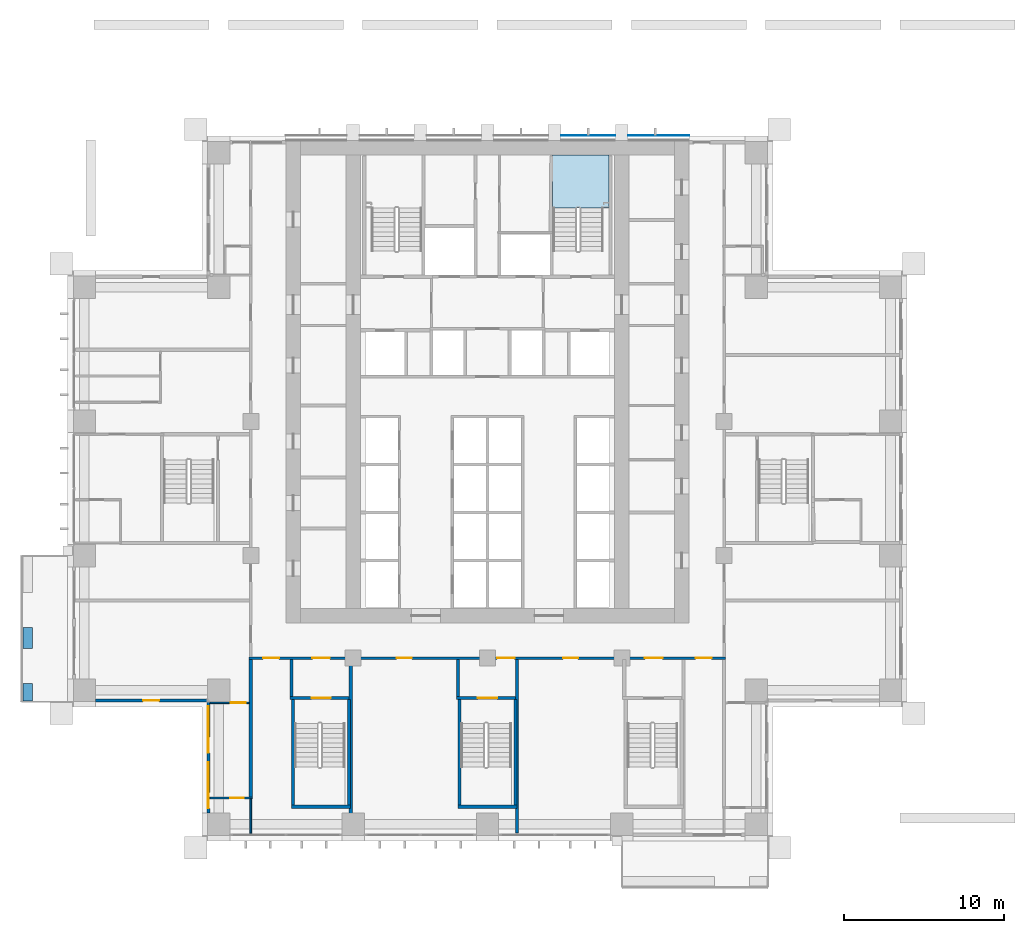
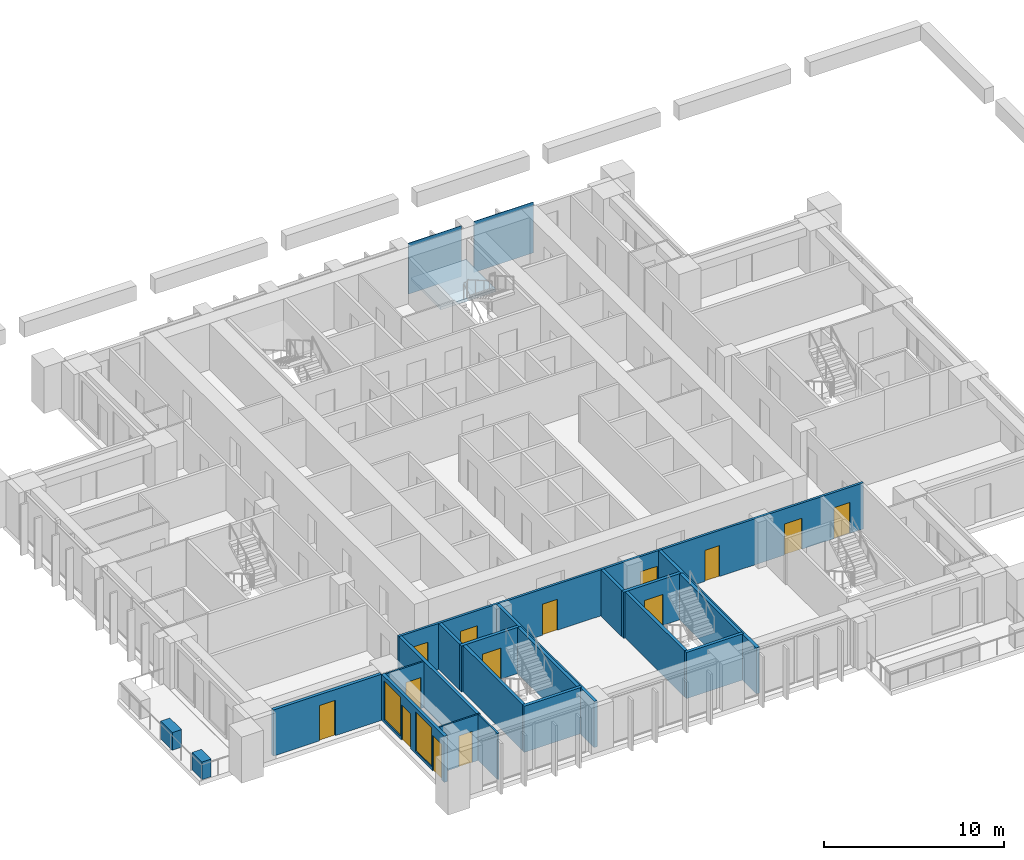
# One storey, part 7 of 18: 21 walls, 14 doors, 2 plates, 2 windows, 1 slab, 16 openings, 1 element without a shape of its own.
"""IFC4 building model written with IfcOpenShell, lengths in metres."""

from ifc_helpers import new_model, si_unit, direction, frame, frame_2d, origin, origin_2d, place, context, subcontext, project, spatial, polyline, rectangle, outline, extrude, material, layer, layer_set, type_object, element, fill, aggregate, save


model = new_model("IFC4")

# Units and contexts
model_context = context("Model", 3, precision=1e-05, world=origin(), true_north=direction((0.0, 1.0)))
body_context = subcontext(model_context, "Body", "Model", "MODEL_VIEW")
ifc_project = project(units=[si_unit("LENGTHUNIT", "METRE"), si_unit("AREAUNIT", "SQUARE_METRE"), si_unit("VOLUMEUNIT", "CUBIC_METRE"), si_unit("PLANEANGLEUNIT", "RADIAN"), si_unit("MASSUNIT", "GRAM", prefix="KILO")], contexts=[model_context])

# Site, building, storey
site_placement = place(None, origin())
site = spatial("IfcSite", under=ifc_project, at=site_placement, CompositionType="ELEMENT")
building_placement = place(site_placement, origin())
building = spatial("IfcBuilding", under=site, at=building_placement, Name="Vermilion Ogive Tower", CompositionType="ELEMENT")
storey_placement = place(building_placement, frame((0.0, 0.0, 34.5)))
storey = spatial("IfcBuildingStorey", under=building, at=storey_placement, Name="L06", CompositionType="ELEMENT", Elevation=34.5)

# Plates
ifc_material_1 = material(Name="Low-iron laminated glazing in aluminium frame", Category="aluminium")
ifc_layer_1 = layer(ifc_material_1, 0.031982421875)
ifc_layer_set_1 = layer_set([ifc_layer_1], Name="Glazed rainscreen sheet 32")
plate_type = type_object("IfcPlateType", Name="Glazed rainscreen sheet 32", PredefinedType="SHEET", material=ifc_layer_set_1)
plate_1_placement = place(storey_placement, frame((6.300048828125, 22.06591796875, -0.31982421875), z_axis=(0.0, 0.0, 1.0), x_axis=(1.0, 0.0, 0.0)))
element("IfcPlate", 1, at=plate_1_placement, inside=storey, type_object=plate_type, Name="Glazed rainscreen sheet N5", PredefinedType="SHEET", context=body_context, shape_type="SweptSolid", body=[
    extrude(rectangle(XDim=3.39990234375, YDim=0.031982421875, at=origin_2d()), origin(), (0.0, 0.0, 1.0), 3.449951171875),
])
plate_2_placement = place(storey_placement, frame((10.7099609375, 22.06591796875, -0.31982421875), z_axis=(0.0, 0.0, 1.0), x_axis=(1.0, 0.0, 0.0)))
element("IfcPlate", 2, at=plate_2_placement, inside=storey, type_object=plate_type, Name="Glazed rainscreen sheet N6", PredefinedType="SHEET", context=body_context, shape_type="SweptSolid", body=[
    extrude(rectangle(XDim=3.820068359375, YDim=0.031982421875, at=origin_2d()), origin(), (0.0, 0.0, 1.0), 3.449951171875),
])

# Stair, slab
ifc_material_2 = material(Name="Concrete B40", Category="concrete")
stair_type = type_object("IfcStairType", Name="Exit stair 1500", PredefinedType="HALF_TURN_STAIR", material=ifc_material_2)
stair_placement = place(storey_placement, origin())
stair = element("IfcStair", 3, at=stair_placement, inside=storey, type_object=stair_type, Name="L06 Exit Stair ST2", PredefinedType="HALF_TURN_STAIR")
ifc_material_3 = material(Name="Concrete B40", Category="concrete")
ifc_layer_2 = layer(ifc_material_3, 0.199951171875)
ifc_layer_set_2 = layer_set([ifc_layer_2], Name="Stair landing 200")
slab_type = type_object("IfcSlabType", Name="Stair landing 200", PredefinedType="LANDING", material=ifc_layer_set_2)
slab_placement = place(storey_placement, frame((0.0, 0.0, 1.52490234375)))
slab = element("IfcSlab", 4, at=slab_placement, type_object=slab_type, Name="ST2 landing 1", PredefinedType="LANDING", context=body_context, shape_type="SweptSolid", body=[
    extrude(outline(polyline([(5.60009765625, 17.550048828125), (5.75, 17.550048828125), (5.75, 17.548095703125), (7.25, 17.548095703125), (7.25, 17.550048828125), (7.60009765625, 17.550048828125), (7.60009765625, 20.85009765625), (4.074951171875, 20.85009765625), (4.074951171875, 17.550048828125), (4.10009765625, 17.550048828125), (4.10009765625, 17.548095703125), (5.60009765625, 17.548095703125), (5.60009765625, 17.550048828125)])), origin(), (0.0, 0.0, 1.0), 0.2001953125),
])
aggregate(stair, [slab])

# Wall, opening, door
ifc_material_4 = material(Name="Gypsum board partition on steel studs", Category="steel")
ifc_layer_3 = layer(ifc_material_4, 0.10009765625)
ifc_layer_set_3 = layer_set([ifc_layer_3], Name="Partition 100 bath")
wall_type_1 = type_object("IfcWallType", Name="Partition 100 bath", PredefinedType="PARTITIONING", material=ifc_layer_set_3)
wall_1_placement = place(storey_placement, frame((-17.35009765625, -19.35009765625, 0.0), z_axis=(0.0, 0.0, 1.0), x_axis=(1.0, 0.0, 0.0)))
wall_1 = element("IfcWall", 5, at=wall_1_placement, inside=storey, type_object=wall_type_1, Name="L06-W-W005", PredefinedType="PARTITIONING", context=body_context, shape_type="SweptSolid", body=[
    extrude(rectangle(XDim=2.650146484375, YDim=0.10009765625, at=frame_2d((1.3251953125, 0.0))), origin(), (0.0, 0.0, 1.0), 3.1298828125),
])
opening_1_placement = place(wall_1_placement, frame((1.275146484375, 0.0, 0.0)))
opening_1 = element("IfcOpeningElement", 6, at=opening_1_placement, cuts=wall_1, Name="Opening D1G1003", PredefinedType="OPENING", context=body_context, shape_type="SweptSolid", body=[
    extrude(rectangle(XDim=0.85009765625, YDim=2.10009765625, at=frame_2d((0.425048828125, 1.050048828125))), frame((0.0, 0.06005859375, 0.0), z_axis=(0.0, -1.0, 0.0), x_axis=(1.0, 0.0, 0.0)), (0.0, 0.0, 1.0), 0.1201171875),
])
ifc_material_5 = material(Name="Timber door leaf", Category="wood")
door_type_1 = type_object("IfcDoorType", Name="Bath door 850 x 2100 FD30", OperationType="SINGLE_SWING_LEFT", PredefinedType="DOOR", material=ifc_material_5)
door_1_placement = place(opening_1_placement, origin())
door_1 = element("IfcDoor", 7, at=door_1_placement, inside=storey, type_object=door_type_1, Name="L06-D-D003", OperationType="SINGLE_SWING_RIGHT", OverallHeight=2.10009765625, OverallWidth=0.85009765625, PredefinedType="DOOR", context=body_context, shape_type="SweptSolid", body=[
    extrude(rectangle(XDim=0.85009765625, YDim=2.10009765625, at=frame_2d((0.425048828125, 1.050048828125))), frame((0.0, 0.02490234375, 0.0), z_axis=(0.0, -1.0, 0.0), x_axis=(1.0, 0.0, 0.0)), (0.0, 0.0, 1.0), 0.050048828125),
])
fill(opening_1, door_1)

# Wall
wall_2_placement = place(storey_placement, frame((-14.800048828125, -21.550048828125, 0.0), z_axis=(0.0, 0.0, 1.0), x_axis=(0.0, 1.0, 0.0)))
element("IfcWall", 8, at=wall_2_placement, inside=storey, type_object=wall_type_1, Name="L06-W-W040", PredefinedType="PARTITIONING", context=body_context, shape_type="SweptSolid", body=[
    extrude(rectangle(XDim=2.150146484375, YDim=0.10009765625, at=frame_2d((1.0751953125, 0.0))), origin(), (0.0, 0.0, 1.0), 3.1298828125),
])

# Wall, opening, door
ifc_material_6 = material(Name="Gypsum board partition on steel studs", Category="steel")
ifc_layer_4 = layer(ifc_material_6, 0.10009765625)
ifc_layer_set_4 = layer_set([ifc_layer_4], Name="Partition 100 inner")
wall_type_2 = type_object("IfcWallType", Name="Partition 100 inner", PredefinedType="PARTITIONING", material=ifc_layer_set_4)
wall_3_placement = place(storey_placement, frame((-17.35009765625, -13.39990234375, 0.0), z_axis=(0.0, 0.0, 1.0), x_axis=(1.0, 0.0, 0.0)))
wall_3 = element("IfcWall", 9, at=wall_3_placement, inside=storey, type_object=wall_type_2, Name="L06-W-W006", PredefinedType="PARTITIONING", context=body_context, shape_type="SweptSolid", body=[
    extrude(rectangle(XDim=2.4501953125, YDim=0.10009765625, at=frame_2d((1.22509765625, 0.0))), origin(), (0.0, 0.0, 1.0), 3.1298828125),
])
opening_2_placement = place(wall_3_placement, frame((1.300048828125, 0.0, 0.0)))
opening_2 = element("IfcOpeningElement", 10, at=opening_2_placement, cuts=wall_3, Name="Opening D1G1002", PredefinedType="OPENING", context=body_context, shape_type="SweptSolid", body=[
    extrude(rectangle(XDim=0.949951171875, YDim=2.10009765625, at=frame_2d((0.47509765625, 1.050048828125))), frame((0.0, 0.06005859375, 0.0), z_axis=(0.0, -1.0, 0.0), x_axis=(1.0, 0.0, 0.0)), (0.0, 0.0, 1.0), 0.1201171875),
])
ifc_material_7 = material(Name="Timber door leaf", Category="wood")
door_type_2 = type_object("IfcDoorType", Name="Inner door 950 x 2100 FD30", OperationType="SINGLE_SWING_LEFT", PredefinedType="DOOR", material=ifc_material_7)
door_2_placement = place(opening_2_placement, origin())
door_2 = element("IfcDoor", 11, at=door_2_placement, inside=storey, type_object=door_type_2, Name="L06-D-D002", OperationType="SINGLE_SWING_RIGHT", OverallHeight=2.10009765625, OverallWidth=0.949951171875, PredefinedType="DOOR", context=body_context, shape_type="SweptSolid", body=[
    extrude(rectangle(XDim=0.949951171875, YDim=2.10009765625, at=frame_2d((0.47509765625, 1.050048828125))), frame((0.0, 0.02490234375, 0.0), z_axis=(0.0, -1.0, 0.0), x_axis=(1.0, 0.0, 0.0)), (0.0, 0.0, 1.0), 0.050048828125),
])
fill(opening_2, door_2)

# Wall, openings, doors
ifc_material_8 = material(Name="Gypsum board partition on steel studs", Category="steel")
ifc_layer_5 = layer(ifc_material_8, 0.14990234375)
ifc_layer_set_5 = layer_set([ifc_layer_5], Name="Partition 150 corridor")
wall_type_3 = type_object("IfcWallType", Name="Partition 150 corridor", PredefinedType="PARTITIONING", material=ifc_layer_set_5)
wall_4_placement = place(storey_placement, frame((-14.89990234375, -10.60009765625, 0.0), z_axis=(0.0, 0.0, 1.0), x_axis=(1.0, 0.0, 0.0)))
wall_4 = element("IfcWall", 12, at=wall_4_placement, inside=storey, type_object=wall_type_3, Name="L06-W-W011", PredefinedType="PARTITIONING", context=body_context, shape_type="SweptSolid", body=[
    extrude(rectangle(XDim=29.7998046875, YDim=0.14990234375, at=frame_2d((14.89990234375, 0.0))), origin(), (0.0, 0.0, 1.0), 3.1298828125),
])
opening_3_placement = place(wall_4_placement, frame((9.224853515625, 0.0, 0.0)))
opening_3 = element("IfcOpeningElement", 13, at=opening_3_placement, cuts=wall_4, Name="Opening D1G1012", PredefinedType="OPENING", context=body_context, shape_type="SweptSolid", body=[
    extrude(rectangle(XDim=0.949951171875, YDim=2.10009765625, at=frame_2d((0.47509765625, 1.050048828125))), frame((0.0, 0.0849609375, 0.0), z_axis=(0.0, -1.0, 0.0), x_axis=(1.0, 0.0, 0.0)), (0.0, 0.0, 1.0), 0.169921875),
])
opening_4_placement = place(wall_4_placement, frame((19.625, 0.0, 0.0)))
opening_4 = element("IfcOpeningElement", 14, at=opening_4_placement, cuts=wall_4, Name="Opening D1G1013", PredefinedType="OPENING", context=body_context, shape_type="SweptSolid", body=[
    extrude(rectangle(XDim=0.949951171875, YDim=2.10009765625, at=frame_2d((0.47509765625, 1.050048828125))), frame((0.0, 0.0849609375, 0.0), z_axis=(0.0, -1.0, 0.0), x_axis=(1.0, 0.0, 0.0)), (0.0, 0.0, 1.0), 0.169921875),
])
opening_5_placement = place(wall_4_placement, frame((3.949951171875, 0.0, 0.0)))
opening_5 = element("IfcOpeningElement", 15, at=opening_5_placement, cuts=wall_4, Name="Opening D1G1023", PredefinedType="OPENING", context=body_context, shape_type="SweptSolid", body=[
    extrude(rectangle(XDim=1.10009765625, YDim=2.10009765625, at=frame_2d((0.550048828125, 1.050048828125))), frame((0.0, 0.0849609375, 0.0), z_axis=(0.0, -1.0, 0.0), x_axis=(1.0, 0.0, 0.0)), (0.0, 0.0, 1.0), 0.169921875),
])
opening_6_placement = place(wall_4_placement, frame((15.5, 0.0, 0.0)))
opening_6 = element("IfcOpeningElement", 16, at=opening_6_placement, cuts=wall_4, Name="Opening D1G1025", PredefinedType="OPENING", context=body_context, shape_type="SweptSolid", body=[
    extrude(rectangle(XDim=1.10009765625, YDim=2.10009765625, at=frame_2d((0.550048828125, 1.050048828125))), frame((0.0, 0.0849609375, 0.0), z_axis=(0.0, -1.0, 0.0), x_axis=(1.0, 0.0, 0.0)), (0.0, 0.0, 1.0), 0.169921875),
])
opening_7_placement = place(wall_4_placement, frame((24.75, 0.0, 0.0)))
opening_7 = element("IfcOpeningElement", 17, at=opening_7_placement, cuts=wall_4, Name="Opening D1G1027", PredefinedType="OPENING", context=body_context, shape_type="SweptSolid", body=[
    extrude(rectangle(XDim=1.10009765625, YDim=2.10009765625, at=frame_2d((0.550048828125, 1.050048828125))), frame((0.0, 0.0849609375, 0.0), z_axis=(0.0, -1.0, 0.0), x_axis=(1.0, 0.0, 0.0)), (0.0, 0.0, 1.0), 0.169921875),
])
opening_8_placement = place(wall_4_placement, frame((0.875, 0.0, 0.0)))
opening_8 = element("IfcOpeningElement", 18, at=opening_8_placement, cuts=wall_4, Name="Opening D1G1033", PredefinedType="OPENING", context=body_context, shape_type="SweptSolid", body=[
    extrude(rectangle(XDim=1.0, YDim=2.10009765625, at=frame_2d((0.5, 1.050048828125))), frame((0.0, 0.0849609375, 0.0), z_axis=(0.0, -1.0, 0.0), x_axis=(1.0, 0.0, 0.0)), (0.0, 0.0, 1.0), 0.169921875),
])
opening_9_placement = place(wall_4_placement, frame((27.9248046875, 0.0, 0.0)))
opening_9 = element("IfcOpeningElement", 19, at=opening_9_placement, cuts=wall_4, Name="Opening D1G1034", PredefinedType="OPENING", context=body_context, shape_type="SweptSolid", body=[
    extrude(rectangle(XDim=1.0, YDim=2.10009765625, at=frame_2d((0.5, 1.050048828125))), frame((0.0, 0.0849609375, 0.0), z_axis=(0.0, -1.0, 0.0), x_axis=(1.0, 0.0, 0.0)), (0.0, 0.0, 1.0), 0.169921875),
])
ifc_material_9 = material(Name="Timber door leaf", Category="wood")
door_type_3 = type_object("IfcDoorType", Name="Stair door 1100 x 2100 FD60S", OperationType="SINGLE_SWING_LEFT", PredefinedType="DOOR", material=ifc_material_9)
door_3_placement = place(opening_5_placement, origin())
door_3 = element("IfcDoor", 20, at=door_3_placement, inside=storey, type_object=door_type_3, Name="L06-D-D023", OperationType="SINGLE_SWING_RIGHT", OverallHeight=2.10009765625, OverallWidth=1.10009765625, PredefinedType="DOOR", context=body_context, shape_type="SweptSolid", body=[
    extrude(rectangle(XDim=1.10009765625, YDim=2.10009765625, at=frame_2d((0.550048828125, 1.050048828125))), frame((0.0, 0.02490234375, 0.0), z_axis=(0.0, -1.0, 0.0), x_axis=(1.0, 0.0, 0.0)), (0.0, 0.0, 1.0), 0.050048828125),
])
fill(opening_5, door_3)
door_4_placement = place(opening_6_placement, origin())
door_4 = element("IfcDoor", 21, at=door_4_placement, inside=storey, type_object=door_type_3, Name="L06-D-D025", OperationType="SINGLE_SWING_LEFT", OverallHeight=2.10009765625, OverallWidth=1.10009765625, PredefinedType="DOOR", context=body_context, shape_type="SweptSolid", body=[
    extrude(rectangle(XDim=1.10009765625, YDim=2.10009765625, at=frame_2d((0.550048828125, 1.050048828125))), frame((0.0, 0.02490234375, 0.0), z_axis=(0.0, -1.0, 0.0), x_axis=(1.0, 0.0, 0.0)), (0.0, 0.0, 1.0), 0.050048828125),
])
fill(opening_6, door_4)
door_5_placement = place(opening_7_placement, origin())
door_5 = element("IfcDoor", 22, at=door_5_placement, inside=storey, type_object=door_type_3, Name="L06-D-D027", OperationType="SINGLE_SWING_RIGHT", OverallHeight=2.10009765625, OverallWidth=1.10009765625, PredefinedType="DOOR", context=body_context, shape_type="SweptSolid", body=[
    extrude(rectangle(XDim=1.10009765625, YDim=2.10009765625, at=frame_2d((0.550048828125, 1.050048828125))), frame((0.0, 0.02490234375, 0.0), z_axis=(0.0, -1.0, 0.0), x_axis=(1.0, 0.0, 0.0)), (0.0, 0.0, 1.0), 0.050048828125),
])
fill(opening_7, door_5)
ifc_material_10 = material(Name="Timber door leaf", Category="wood")
door_type_4 = type_object("IfcDoorType", Name="Unit door 1000 x 2100 FD30S", OperationType="SINGLE_SWING_LEFT", PredefinedType="DOOR", material=ifc_material_10)
door_6_placement = place(opening_8_placement, origin())
door_6 = element("IfcDoor", 23, at=door_6_placement, inside=storey, type_object=door_type_4, Name="L06-D-D033", OperationType="SINGLE_SWING_RIGHT", OverallHeight=2.10009765625, OverallWidth=1.0, PredefinedType="DOOR", context=body_context, shape_type="SweptSolid", body=[
    extrude(rectangle(XDim=1.0, YDim=2.10009765625, at=frame_2d((0.5, 1.050048828125))), frame((0.0, 0.02490234375, 0.0), z_axis=(0.0, -1.0, 0.0), x_axis=(1.0, 0.0, 0.0)), (0.0, 0.0, 1.0), 0.050048828125),
])
fill(opening_8, door_6)
door_7_placement = place(opening_9_placement, origin())
door_7 = element("IfcDoor", 24, at=door_7_placement, inside=storey, type_object=door_type_4, Name="L06-D-D034", OperationType="SINGLE_SWING_LEFT", OverallHeight=2.10009765625, OverallWidth=1.0, PredefinedType="DOOR", context=body_context, shape_type="SweptSolid", body=[
    extrude(rectangle(XDim=1.0, YDim=2.10009765625, at=frame_2d((0.5, 1.050048828125))), frame((0.0, 0.02490234375, 0.0), z_axis=(0.0, -1.0, 0.0), x_axis=(1.0, 0.0, 0.0)), (0.0, 0.0, 1.0), 0.050048828125),
])
fill(opening_9, door_7)
ifc_material_11 = material(Name="Timber door leaf", Category="wood")
door_type_5 = type_object("IfcDoorType", Name="Unit door 950 x 2100 FD30S", OperationType="SINGLE_SWING_LEFT", PredefinedType="DOOR", material=ifc_material_11)
door_8_placement = place(opening_3_placement, origin())
door_8 = element("IfcDoor", 25, at=door_8_placement, inside=storey, type_object=door_type_5, Name="L06-D-D012", OperationType="SINGLE_SWING_LEFT", OverallHeight=2.10009765625, OverallWidth=0.949951171875, PredefinedType="DOOR", context=body_context, shape_type="SweptSolid", body=[
    extrude(rectangle(XDim=0.949951171875, YDim=2.10009765625, at=frame_2d((0.47509765625, 1.050048828125))), frame((0.0, 0.02490234375, 0.0), z_axis=(0.0, -1.0, 0.0), x_axis=(1.0, 0.0, 0.0)), (0.0, 0.0, 1.0), 0.050048828125),
])
fill(opening_3, door_8)
door_9_placement = place(opening_4_placement, origin())
door_9 = element("IfcDoor", 26, at=door_9_placement, inside=storey, type_object=door_type_5, Name="L06-D-D013", OperationType="SINGLE_SWING_RIGHT", OverallHeight=2.10009765625, OverallWidth=0.949951171875, PredefinedType="DOOR", context=body_context, shape_type="SweptSolid", body=[
    extrude(rectangle(XDim=0.949951171875, YDim=2.10009765625, at=frame_2d((0.47509765625, 1.050048828125))), frame((0.0, 0.02490234375, 0.0), z_axis=(0.0, -1.0, 0.0), x_axis=(1.0, 0.0, 0.0)), (0.0, 0.0, 1.0), 0.050048828125),
])
fill(opening_4, door_9)

# Walls
ifc_material_12 = material(Name="Gypsum board partition on steel studs", Category="steel")
ifc_layer_6 = layer(ifc_material_12, 0.199951171875)
ifc_layer_set_6 = layer_set([ifc_layer_6], Name="Partition 200 party")
wall_type_4 = type_object("IfcWallType", Name="Partition 200 party", PredefinedType="PARTITIONING", material=ifc_layer_set_6)
wall_5_placement = place(storey_placement, frame((-14.800048828125, -19.300048828125, 0.0), z_axis=(0.0, 0.0, 1.0), x_axis=(0.0, 1.0, 0.0)))
element("IfcWall", 27, at=wall_5_placement, inside=storey, type_object=wall_type_4, Name="L06-W-W041", PredefinedType="PARTITIONING", context=body_context, shape_type="SweptSolid", body=[
    extrude(rectangle(XDim=8.625, YDim=0.199951171875, at=frame_2d((4.3125, 0.0))), origin(), (0.0, 0.0, 1.0), 3.1298828125),
])
ifc_material_13 = material(Name="Concrete B60", Category="concrete")
ifc_layer_7 = layer(ifc_material_13, 0.199951171875)
ifc_layer_set_7 = layer_set([ifc_layer_7], Name="Stair shaft wall 200 Concrete B60")
wall_type_5 = type_object("IfcWallType", Name="Stair shaft wall 200 Concrete B60", PredefinedType="SOLIDWALL", material=ifc_layer_set_7)
wall_6_placement = place(storey_placement, frame((-12.248046875, -19.89990234375, 0.0), z_axis=(0.0, 0.0, 1.0), x_axis=(1.0, 0.0, 0.0)))
element("IfcWall", 28, at=wall_6_placement, inside=storey, type_object=wall_type_5, Name="L06-W-W002", PredefinedType="SOLIDWALL", context=body_context, shape_type="SweptSolid", body=[
    extrude(rectangle(XDim=3.696044921875, YDim=0.199951171875, at=frame_2d((1.84814453125, 0.0))), origin(), (0.0, 0.0, 1.0), 3.1298828125),
])
wall_7_placement = place(storey_placement, frame((-1.847900390625, -19.89990234375, 0.0), z_axis=(0.0, 0.0, 1.0), x_axis=(1.0, 0.0, 0.0)))
element("IfcWall", 29, at=wall_7_placement, inside=storey, type_object=wall_type_5, Name="L06-W-W003", PredefinedType="SOLIDWALL", context=body_context, shape_type="SweptSolid", body=[
    extrude(rectangle(XDim=3.69580078125, YDim=0.199951171875, at=frame_2d((1.847900390625, 0.0))), origin(), (0.0, 0.0, 1.0), 3.1298828125),
])

# Wall, opening, door
wall_8_placement = place(storey_placement, frame((-12.347900390625, -13.10009765625, 0.0), z_axis=(0.0, 0.0, 1.0), x_axis=(1.0, 0.0, 0.0)))
wall_8 = element("IfcWall", 30, at=wall_8_placement, inside=storey, type_object=wall_type_5, Name="L06-W-W008", PredefinedType="SOLIDWALL", context=body_context, shape_type="SweptSolid", body=[
    extrude(rectangle(XDim=3.69580078125, YDim=0.199951171875, at=frame_2d((1.847900390625, 0.0))), origin(), (0.0, 0.0, 1.0), 3.1298828125),
])
opening_10_placement = place(wall_8_placement, frame((1.347900390625, 0.0, 0.0)))
opening_10 = element("IfcOpeningElement", 31, at=opening_10_placement, cuts=wall_8, Name="Opening D1G1024", PredefinedType="OPENING", context=body_context, shape_type="SweptSolid", body=[
    extrude(rectangle(XDim=1.199951171875, YDim=2.10009765625, at=frame_2d((0.60009765625, 1.050048828125))), frame((0.0, 0.10986328125, 0.0), z_axis=(0.0, -1.0, 0.0), x_axis=(1.0, 0.0, 0.0)), (0.0, 0.0, 1.0), 0.219970703125),
])
ifc_material_14 = material(Name="Timber door leaf", Category="wood")
door_type_6 = type_object("IfcDoorType", Name="Stair door 1200 x 2100 FD60S", OperationType="SINGLE_SWING_LEFT", PredefinedType="DOOR", material=ifc_material_14)
door_10_placement = place(opening_10_placement, origin())
door_10 = element("IfcDoor", 32, at=door_10_placement, inside=storey, type_object=door_type_6, Name="L06-D-D024", OperationType="SINGLE_SWING_RIGHT", OverallHeight=2.10009765625, OverallWidth=1.199951171875, PredefinedType="DOOR", context=body_context, shape_type="SweptSolid", body=[
    extrude(rectangle(XDim=1.199951171875, YDim=2.10009765625, at=frame_2d((0.60009765625, 1.050048828125))), frame((0.0, 0.02490234375, 0.0), z_axis=(0.0, -1.0, 0.0), x_axis=(1.0, 0.0, 0.0)), (0.0, 0.0, 1.0), 0.050048828125),
])
fill(opening_10, door_10)

wall_9_placement = place(storey_placement, frame((-1.947998046875, -13.10009765625, 0.0), z_axis=(0.0, 0.0, 1.0), x_axis=(1.0, 0.0, 0.0)))
wall_9 = element("IfcWall", 33, at=wall_9_placement, inside=storey, type_object=wall_type_5, Name="L06-W-W009", PredefinedType="SOLIDWALL", context=body_context, shape_type="SweptSolid", body=[
    extrude(rectangle(XDim=3.696044921875, YDim=0.199951171875, at=frame_2d((1.84814453125, 0.0))), origin(), (0.0, 0.0, 1.0), 3.1298828125),
])
opening_11_placement = place(wall_9_placement, frame((1.347900390625, 0.0, 0.0)))
opening_11 = element("IfcOpeningElement", 34, at=opening_11_placement, cuts=wall_9, Name="Opening D1G1026", PredefinedType="OPENING", context=body_context, shape_type="SweptSolid", body=[
    extrude(rectangle(XDim=1.199951171875, YDim=2.10009765625, at=frame_2d((0.60009765625, 1.050048828125))), frame((0.0, 0.10986328125, 0.0), z_axis=(0.0, -1.0, 0.0), x_axis=(1.0, 0.0, 0.0)), (0.0, 0.0, 1.0), 0.219970703125),
])
door_11_placement = place(opening_11_placement, origin())
door_11 = element("IfcDoor", 35, at=door_11_placement, inside=storey, type_object=door_type_6, Name="L06-D-D026", OperationType="SINGLE_SWING_RIGHT", OverallHeight=2.10009765625, OverallWidth=1.199951171875, PredefinedType="DOOR", context=body_context, shape_type="SweptSolid", body=[
    extrude(rectangle(XDim=1.199951171875, YDim=2.10009765625, at=frame_2d((0.60009765625, 1.050048828125))), frame((0.0, 0.02490234375, 0.0), z_axis=(0.0, -1.0, 0.0), x_axis=(1.0, 0.0, 0.0)), (0.0, 0.0, 1.0), 0.050048828125),
])
fill(opening_11, door_11)

# Walls
wall_10_placement = place(storey_placement, frame((-12.25, -12.998046875, 0.0), z_axis=(0.0, 0.0, 1.0), x_axis=(0.0, 1.0, 0.0)))
element("IfcWall", 36, at=wall_10_placement, inside=storey, type_object=wall_type_5, Name="L06-W-W045", PredefinedType="SOLIDWALL", context=body_context, shape_type="SweptSolid", body=[
    extrude(rectangle(XDim=2.322998046875, YDim=0.199951171875, at=frame_2d((1.16162109375, 0.0))), origin(), (0.0, 0.0, 1.0), 3.1298828125),
])
for number, where, z_axis, x_axis, name in (
    (37, (-12.14990234375, -19.798095703125, 0.0), (0.0, 0.0, 1.0), (0.0, 1.0, 0.0), "L06-W-W046"),
    (38, (-8.64990234375, -19.798095703125, 0.0), (0.0, 0.0, 1.0), (0.0, 1.0, 0.0), "L06-W-W047"),
):
    element("IfcWall", number, at=place(storey_placement, frame(where, z_axis=z_axis, x_axis=x_axis)), inside=storey, type_object=wall_type_5, Name=name, PredefinedType="SOLIDWALL", context=body_context, shape_type="SweptSolid", body=[
        extrude(rectangle(XDim=6.59619140625, YDim=0.199951171875, at=frame_2d((3.298095703125, 0.0))), origin(), (0.0, 0.0, 1.0), 3.1298828125),
    ])
wall_11_placement = place(storey_placement, frame((-1.85009765625, -12.998046875, 0.0), z_axis=(0.0, 0.0, 1.0), x_axis=(0.0, 1.0, 0.0)))
element("IfcWall", 39, at=wall_11_placement, inside=storey, type_object=wall_type_5, Name="L06-W-W049", PredefinedType="SOLIDWALL", context=body_context, shape_type="SweptSolid", body=[
    extrude(rectangle(XDim=2.322998046875, YDim=0.199951171875, at=frame_2d((1.16162109375, 0.0))), origin(), (0.0, 0.0, 1.0), 3.1298828125),
])
for number, where, z_axis, x_axis, name in (
    (40, (-1.75, -19.798095703125, 0.0), (0.0, 0.0, 1.0), (0.0, 1.0, 0.0), "L06-W-W050"),
    (41, (1.75, -19.798095703125, 0.0), (0.0, 0.0, 1.0), (0.0, 1.0, 0.0), "L06-W-W051"),
):
    element("IfcWall", number, at=place(storey_placement, frame(where, z_axis=z_axis, x_axis=x_axis)), inside=storey, type_object=wall_type_5, Name=name, PredefinedType="SOLIDWALL", context=body_context, shape_type="SweptSolid", body=[
        extrude(rectangle(XDim=6.59619140625, YDim=0.199951171875, at=frame_2d((3.298095703125, 0.0))), origin(), (0.0, 0.0, 1.0), 3.1298828125),
    ])
for number, where, z_axis, x_axis, name in (
    (42, (1.85009765625, -21.550048828125, 0.0), (0.0, 0.0, 1.0), (0.0, 1.0, 0.0), "L06-W-W052-A"),
    (43, (-8.550048828125, -21.550048828125, 0.0), (0.0, 0.0, 1.0), (0.0, 1.0, 0.0), "L06-W-W048-A-A"),
):
    element("IfcWall", number, at=place(storey_placement, frame(where, z_axis=z_axis, x_axis=x_axis)), inside=storey, type_object=wall_type_5, Name=name, PredefinedType="SOLIDWALL", context=body_context, shape_type="SweptSolid", body=[
        extrude(rectangle(XDim=10.875, YDim=0.199951171875, at=frame_2d((5.4375, 0.0))), origin(), (0.0, 0.0, 1.0), 3.1298828125),
    ])
ifc_material_15 = material(Name="Concrete B40", Category="concrete")
ifc_layer_8 = layer(ifc_material_15, 0.60009765625)
ifc_layer_set_8 = layer_set([ifc_layer_8], Name="Structural planter")
wall_type_6 = type_object("IfcWallType", Name="Structural planter", PredefinedType="USERDEFINED", material=ifc_layer_set_8)
wall_12_placement = place(storey_placement, frame((-28.75, -8.699951171875, -0.0400390625), z_axis=(0.0, 0.0, 1.0), x_axis=(0.0, -1.0, 0.0)))
element("IfcWall", 44, at=wall_12_placement, inside=storey, type_object=wall_type_6, Name="Planter W03A2", ObjectType="PLANTER", PredefinedType="USERDEFINED", context=body_context, shape_type="SweptSolid", body=[
    extrude(rectangle(XDim=1.300048828125, YDim=0.60009765625, at=frame_2d((0.64990234375, 0.0))), origin(), (0.0, 0.0, 1.0), 1.199951171875),
])
wall_13_placement = place(storey_placement, frame((-28.75, -12.199951171875, -0.0400390625), z_axis=(0.0, 0.0, 1.0), x_axis=(0.0, -1.0, 0.0)))
element("IfcWall", 45, at=wall_13_placement, inside=storey, type_object=wall_type_6, Name="Planter W03A3", ObjectType="PLANTER", PredefinedType="USERDEFINED", context=body_context, shape_type="SweptSolid", body=[
    extrude(rectangle(XDim=1.090087890625, YDim=0.60009765625, at=frame_2d((0.544921875, 0.0))), origin(), (0.0, 0.0, 1.0), 1.199951171875),
])

# Wall, opening, door
ifc_material_16 = material(Name="Aluminium window wall framing", Category="aluminium")
ifc_layer_9 = layer(ifc_material_16, 0.199951171875)
ifc_layer_set_9 = layer_set([ifc_layer_9], Name="Window wall")
wall_type_7 = type_object("IfcWallType", Name="Window wall", PredefinedType="STANDARD", material=ifc_layer_set_9)
wall_14_placement = place(storey_placement, frame((-24.5, -13.25, 0.0), z_axis=(0.0, 0.0, 1.0), x_axis=(1.0, 0.0, 0.0)))
wall_14 = element("IfcWall", 46, at=wall_14_placement, inside=storey, type_object=wall_type_7, Name="Window wall X71", PredefinedType="STANDARD", context=body_context, shape_type="SweptSolid", body=[
    extrude(rectangle(XDim=6.949951171875, YDim=0.199951171875, at=frame_2d((3.47509765625, 0.0))), origin(), (0.0, 0.0, 1.0), 3.1298828125),
])
opening_12_placement = place(wall_14_placement, frame((2.97509765625, 0.0, 0.0)))
opening_12 = element("IfcOpeningElement", 47, at=opening_12_placement, cuts=wall_14, Name="Opening D1-X7X", PredefinedType="OPENING", context=body_context, shape_type="SweptSolid", body=[
    extrude(rectangle(XDim=1.0, YDim=2.39990234375, at=frame_2d((0.5, 1.199951171875))), frame((0.0, 0.10986328125, 0.0), z_axis=(0.0, -1.0, 0.0), x_axis=(1.0, 0.0, 0.0)), (0.0, 0.0, 1.0), 0.219970703125),
])
ifc_material_17 = material(Name="Aluminium framed glazed door", Category="aluminium")
door_type_7 = type_object("IfcDoorType", Name="Balcony door D1", OperationType="SINGLE_SWING_LEFT", PredefinedType="DOOR", material=ifc_material_17)
door_12_placement = place(opening_12_placement, origin())
door_12 = element("IfcDoor", 48, at=door_12_placement, inside=storey, type_object=door_type_7, Name="Balcony door X7X", OperationType="SINGLE_SWING_LEFT", OverallHeight=2.39990234375, OverallWidth=1.0, PredefinedType="DOOR", context=body_context, shape_type="SweptSolid", body=[
    extrude(rectangle(XDim=1.0, YDim=2.39990234375, at=frame_2d((0.5, 1.199951171875))), frame((0.0, 0.02490234375, 0.0), z_axis=(0.0, -1.0, 0.0), x_axis=(1.0, 0.0, 0.0)), (0.0, 0.0, 1.0), 0.050048828125),
])
fill(opening_12, door_12)

# Wall, openings, doors, windows
wall_15_placement = place(storey_placement, frame((-17.449951171875, -13.35009765625, 0.0), z_axis=(0.0, 0.0, 1.0), x_axis=(0.0, -1.0, 0.0)))
wall_15 = element("IfcWall", 49, at=wall_15_placement, inside=storey, type_object=wall_type_7, Name="Window wall X81", PredefinedType="STANDARD", context=body_context, shape_type="SweptSolid", body=[
    extrude(rectangle(XDim=6.949951171875, YDim=0.199951171875, at=frame_2d((3.47509765625, 0.0))), origin(), (0.0, 0.0, 1.0), 3.1298828125),
])
opening_13_placement = place(wall_15_placement, frame((3.75, 0.0, 0.199951171875)))
opening_13 = element("IfcOpeningElement", 50, at=opening_13_placement, cuts=wall_15, Name="Opening W1-X895", PredefinedType="OPENING", context=body_context, shape_type="SweptSolid", body=[
    extrude(rectangle(XDim=1.800048828125, YDim=2.64990234375, at=frame_2d((0.89990234375, 1.324951171875))), frame((0.0, 0.10986328125, 0.0), z_axis=(0.0, -1.0, 0.0), x_axis=(1.0, 0.0, 0.0)), (0.0, 0.0, 1.0), 0.219970703125),
])
opening_14_placement = place(wall_15_placement, frame((5.64990234375, 0.0, 0.0)))
opening_14 = element("IfcOpeningElement", 51, at=opening_14_placement, cuts=wall_15, Name="Opening D1-X895", PredefinedType="OPENING", context=body_context, shape_type="SweptSolid", body=[
    extrude(rectangle(XDim=1.0, YDim=2.39990234375, at=frame_2d((0.5, 1.199951171875))), frame((0.0, 0.10986328125, 0.0), z_axis=(0.0, -1.0, 0.0), x_axis=(1.0, 0.0, 0.0)), (0.0, 0.0, 1.0), 0.219970703125),
])
opening_15_placement = place(wall_15_placement, frame((0.27490234375, 0.0, 0.199951171875)))
opening_15 = element("IfcOpeningElement", 52, at=opening_15_placement, cuts=wall_15, Name="Opening W1-X896", PredefinedType="OPENING", context=body_context, shape_type="SweptSolid", body=[
    extrude(rectangle(XDim=1.800048828125, YDim=2.64990234375, at=frame_2d((0.89990234375, 1.324951171875))), frame((0.0, 0.10986328125, 0.0), z_axis=(0.0, -1.0, 0.0), x_axis=(1.0, 0.0, 0.0)), (0.0, 0.0, 1.0), 0.219970703125),
])
opening_16_placement = place(wall_15_placement, frame((2.175048828125, 0.0, 0.0)))
opening_16 = element("IfcOpeningElement", 53, at=opening_16_placement, cuts=wall_15, Name="Opening D1-X896", PredefinedType="OPENING", context=body_context, shape_type="SweptSolid", body=[
    extrude(rectangle(XDim=1.0, YDim=2.39990234375, at=frame_2d((0.5, 1.199951171875))), frame((0.0, 0.10986328125, 0.0), z_axis=(0.0, -1.0, 0.0), x_axis=(1.0, 0.0, 0.0)), (0.0, 0.0, 1.0), 0.219970703125),
])
door_13_placement = place(opening_14_placement, origin())
door_13 = element("IfcDoor", 54, at=door_13_placement, inside=storey, type_object=door_type_7, Name="Balcony door X895", OperationType="SINGLE_SWING_LEFT", OverallHeight=2.39990234375, OverallWidth=1.0, PredefinedType="DOOR", context=body_context, shape_type="SweptSolid", body=[
    extrude(rectangle(XDim=1.0, YDim=2.39990234375, at=frame_2d((0.5, 1.199951171875))), frame((0.0, 0.02490234375, 0.0), z_axis=(0.0, -1.0, 0.0), x_axis=(1.0, 0.0, 0.0)), (0.0, 0.0, 1.0), 0.050048828125),
])
fill(opening_14, door_13)
door_14_placement = place(opening_16_placement, origin())
door_14 = element("IfcDoor", 55, at=door_14_placement, inside=storey, type_object=door_type_7, Name="Balcony door X896", OperationType="SINGLE_SWING_LEFT", OverallHeight=2.39990234375, OverallWidth=1.0, PredefinedType="DOOR", context=body_context, shape_type="SweptSolid", body=[
    extrude(rectangle(XDim=1.0, YDim=2.39990234375, at=frame_2d((0.5, 1.199951171875))), frame((0.0, 0.02490234375, 0.0), z_axis=(0.0, -1.0, 0.0), x_axis=(1.0, 0.0, 0.0)), (0.0, 0.0, 1.0), 0.050048828125),
])
fill(opening_16, door_14)
ifc_material_18 = material(Name="Aluminium framed double glazing", Category="aluminium")
window_type = type_object("IfcWindowType", Name="Guest window W1", PartitioningType="SINGLE_PANEL", PredefinedType="WINDOW", material=ifc_material_18)
window_1_placement = place(opening_13_placement, origin())
window_1 = element("IfcWindow", 56, at=window_1_placement, inside=storey, type_object=window_type, Name="Window X895", OverallHeight=2.64990234375, OverallWidth=1.800048828125, PartitioningType="SINGLE_PANEL", PredefinedType="WINDOW", context=body_context, shape_type="SweptSolid", body=[
    extrude(rectangle(XDim=1.800048828125, YDim=2.64990234375, at=frame_2d((0.89990234375, 1.324951171875))), frame((0.0, 0.030029296875, 0.0), z_axis=(0.0, -1.0, 0.0), x_axis=(1.0, 0.0, 0.0)), (0.0, 0.0, 1.0), 0.06005859375),
])
fill(opening_13, window_1)
window_2_placement = place(opening_15_placement, origin())
window_2 = element("IfcWindow", 57, at=window_2_placement, inside=storey, type_object=window_type, Name="Window X896", OverallHeight=2.64990234375, OverallWidth=1.800048828125, PartitioningType="SINGLE_PANEL", PredefinedType="WINDOW", context=body_context, shape_type="SweptSolid", body=[
    extrude(rectangle(XDim=1.800048828125, YDim=2.64990234375, at=frame_2d((0.89990234375, 1.324951171875))), frame((0.0, 0.030029296875, 0.0), z_axis=(0.0, -1.0, 0.0), x_axis=(1.0, 0.0, 0.0)), (0.0, 0.0, 1.0), 0.06005859375),
])
fill(opening_15, window_2)

save(model, "model.ifc")
